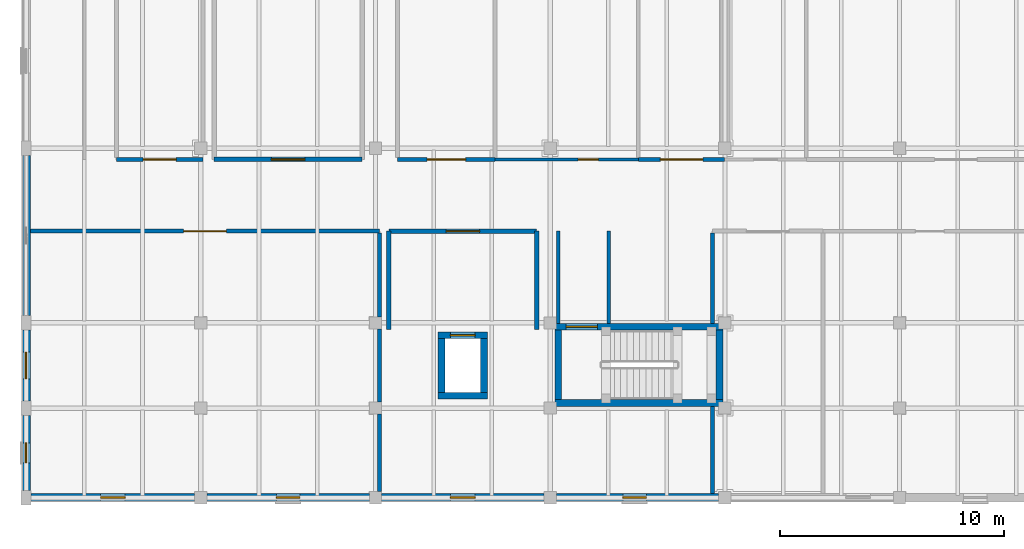
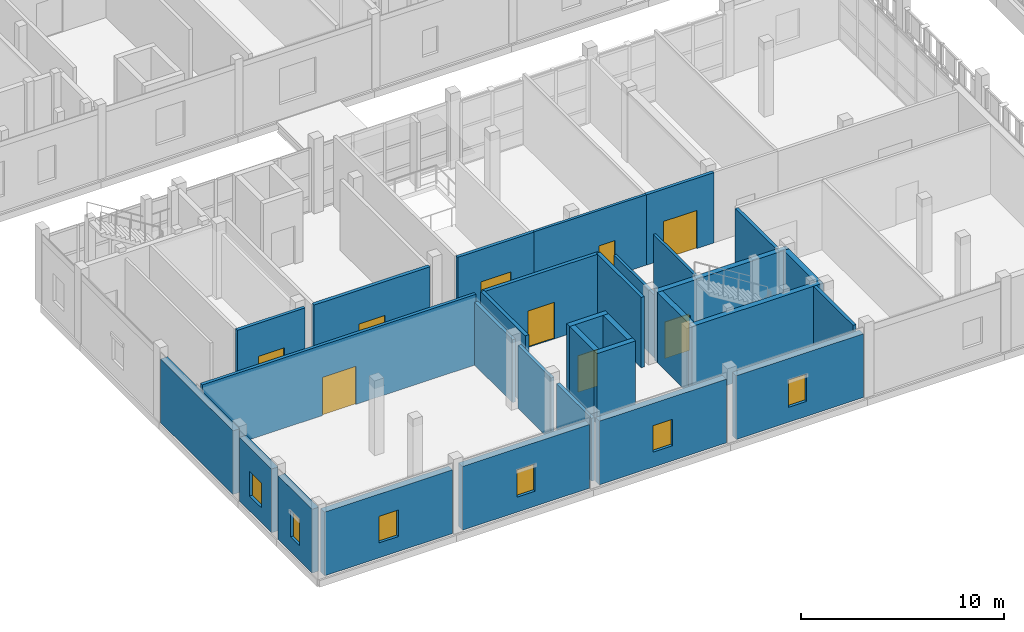
# One storey, part 91 of 119: 31 walls, 9 doors, 6 windows, 15 openings.
"""IFC4 building model written with IfcOpenShell, lengths in metres."""

from ifc_helpers import new_model, si_unit, direction, frame, frame_2d, origin, place, context, subcontext, project, spatial, rectangle, extrude, material, layer, layer_set, type_object, element, fill, save


model = new_model("IFC4")

# Units and contexts
model_context = context("Model", 3, precision=1e-05, world=origin(), true_north=direction((0.0, 1.0)))
body_context = subcontext(model_context, "Body", "Model", "MODEL_VIEW")
ifc_project = project(units=[si_unit("LENGTHUNIT", "METRE"), si_unit("AREAUNIT", "SQUARE_METRE"), si_unit("VOLUMEUNIT", "CUBIC_METRE"), si_unit("PLANEANGLEUNIT", "RADIAN"), si_unit("MASSUNIT", "GRAM", prefix="KILO")], contexts=[model_context])

# Site, building, storey
site_placement = place(None, origin())
site = spatial("IfcSite", under=ifc_project, at=site_placement, CompositionType="ELEMENT")
building_placement = place(site_placement, origin())
building = spatial("IfcBuilding", under=site, at=building_placement, Name="Celorna Specialist Clinic", CompositionType="ELEMENT")
storey_placement = place(building_placement, frame((0.0, 0.0, 9.60009765625)))
storey = spatial("IfcBuildingStorey", under=building, at=storey_placement, Name="L02", CompositionType="ELEMENT", Elevation=9.60009765625)

# Wall, opening, window
ifc_material_1 = material(Name="Terracotta masonry with insulated cavity", Category="masonry")
ifc_layer_1 = layer(ifc_material_1, 0.3798828125, Name="Terracotta masonry with insulated cavity")
ifc_layer_set_1 = layer_set([ifc_layer_1], Name="Terracotta masonry with insulated cavity")
wall_type_1 = type_object("IfcWallType", Name="WT-06", PredefinedType="STANDARD", material=ifc_layer_set_1)
wall_1_placement = place(storey_placement, frame((7.52490234375, 0.0, 0.0), z_axis=(0.0, 0.0, 1.0), x_axis=(-1.0, 0.0, 0.0)))
wall_1 = element("IfcWall", 1, at=wall_1_placement, inside=storey, type_object=wall_type_1, Name="External facade wall WT-06 #336", PredefinedType="STANDARD", context=body_context, shape_type="SweptSolid", body=[
    extrude(rectangle(XDim=7.2998046875, YDim=0.3798828125, at=frame_2d((3.64990234375, 0.0))), origin(), (0.0, 0.0, 1.0), 3.83984375),
])
opening_1_placement = place(wall_1_placement, frame((3.10009765625, 0.0, 0.89990234375)))
opening_1 = element("IfcOpeningElement", 2, at=opening_1_placement, cuts=wall_1, Name="Opening WN-03", PredefinedType="OPENING", context=body_context, shape_type="SweptSolid", body=[
    extrude(rectangle(XDim=1.10009765625, YDim=1.60009765625, at=frame_2d((0.550048828125, 0.800048828125))), frame((0.0, 0.199951171875, 0.0), z_axis=(0.0, -1.0, 0.0), x_axis=(1.0, 0.0, 0.0)), (0.0, 0.0, 1.0), 0.39990234375),
])
ifc_material_2 = material(Name="Thermally broken aluminium triple-glazed window", Category="aluminium")
window_type_1 = type_object("IfcWindowType", Name="WN-03", PartitioningType="SINGLE_PANEL", PredefinedType="WINDOW", material=ifc_material_2)
window_1_placement = place(opening_1_placement, origin())
window_1 = element("IfcWindow", 3, at=window_1_placement, inside=storey, type_object=window_type_1, Name="Facade window WN-03 #203", OverallHeight=1.60009765625, OverallWidth=1.10009765625, PartitioningType="SINGLE_PANEL", PredefinedType="WINDOW", context=body_context, shape_type="SweptSolid", body=[
    extrude(rectangle(XDim=1.10009765625, YDim=1.60009765625, at=frame_2d((0.550048828125, 0.800048828125))), frame((0.0, 0.030029296875, 0.0), z_axis=(0.0, -1.0, 0.0), x_axis=(1.0, 0.0, 0.0)), (0.0, 0.0, 1.0), 0.06005859375),
])
fill(opening_1, window_1)

wall_2_placement = place(storey_placement, frame((15.324951171875, 0.0, 0.0), z_axis=(0.0, 0.0, 1.0), x_axis=(-1.0, 0.0, 0.0)))
wall_2 = element("IfcWall", 4, at=wall_2_placement, inside=storey, type_object=wall_type_1, Name="External facade wall WT-06 #337", PredefinedType="STANDARD", context=body_context, shape_type="SweptSolid", body=[
    extrude(rectangle(XDim=7.25, YDim=0.3798828125, at=frame_2d((3.625, 0.0))), origin(), (0.0, 0.0, 1.0), 3.83984375),
])
opening_2_placement = place(wall_2_placement, frame((3.10009765625, 0.0, 0.89990234375)))
opening_2 = element("IfcOpeningElement", 5, at=opening_2_placement, cuts=wall_2, Name="Opening WN-21", PredefinedType="OPENING", context=body_context, shape_type="SweptSolid", body=[
    extrude(rectangle(XDim=1.050048828125, YDim=1.64990234375, at=frame_2d((0.52490234375, 0.824951171875))), frame((0.0, 0.199951171875, 0.0), z_axis=(0.0, -1.0, 0.0), x_axis=(1.0, 0.0, 0.0)), (0.0, 0.0, 1.0), 0.39990234375),
])
window_type_2 = type_object("IfcWindowType", Name="WN-21", PartitioningType="SINGLE_PANEL", PredefinedType="WINDOW", material=ifc_material_2)
window_2_placement = place(opening_2_placement, origin())
window_2 = element("IfcWindow", 6, at=window_2_placement, inside=storey, type_object=window_type_2, Name="Facade window WN-21 #204", OverallHeight=1.64990234375, OverallWidth=1.050048828125, PartitioningType="SINGLE_PANEL", PredefinedType="WINDOW", context=body_context, shape_type="SweptSolid", body=[
    extrude(rectangle(XDim=1.050048828125, YDim=1.64990234375, at=frame_2d((0.52490234375, 0.824951171875))), frame((0.0, 0.030029296875, 0.0), z_axis=(0.0, -1.0, 0.0), x_axis=(1.0, 0.0, 0.0)), (0.0, 0.0, 1.0), 0.06005859375),
])
fill(opening_2, window_2)

wall_3_placement = place(storey_placement, frame((23.125, 0.0, 0.0), z_axis=(0.0, 0.0, 1.0), x_axis=(-1.0, 0.0, 0.0)))
wall_3 = element("IfcWall", 7, at=wall_3_placement, inside=storey, type_object=wall_type_1, Name="External facade wall WT-06 #338", PredefinedType="STANDARD", context=body_context, shape_type="SweptSolid", body=[
    extrude(rectangle(XDim=7.25, YDim=0.3798828125, at=frame_2d((3.625, 0.0))), origin(), (0.0, 0.0, 1.0), 3.83984375),
])
opening_3_placement = place(wall_3_placement, frame((3.074951171875, 0.0, 0.89990234375)))
opening_3 = element("IfcOpeningElement", 8, at=opening_3_placement, cuts=wall_3, Name="Opening WN-03", PredefinedType="OPENING", context=body_context, shape_type="SweptSolid", body=[
    extrude(rectangle(XDim=1.10009765625, YDim=1.60009765625, at=frame_2d((0.550048828125, 0.800048828125))), frame((0.0, 0.199951171875, 0.0), z_axis=(0.0, -1.0, 0.0), x_axis=(1.0, 0.0, 0.0)), (0.0, 0.0, 1.0), 0.39990234375),
])
window_3_placement = place(opening_3_placement, origin())
window_3 = element("IfcWindow", 9, at=window_3_placement, inside=storey, type_object=window_type_1, Name="Facade window WN-03 #205", OverallHeight=1.60009765625, OverallWidth=1.10009765625, PartitioningType="SINGLE_PANEL", PredefinedType="WINDOW", context=body_context, shape_type="SweptSolid", body=[
    extrude(rectangle(XDim=1.10009765625, YDim=1.60009765625, at=frame_2d((0.550048828125, 0.800048828125))), frame((0.0, 0.030029296875, 0.0), z_axis=(0.0, -1.0, 0.0), x_axis=(1.0, 0.0, 0.0)), (0.0, 0.0, 1.0), 0.06005859375),
])
fill(opening_3, window_3)

wall_4_placement = place(storey_placement, frame((30.925048828125, 0.0, 0.0), z_axis=(0.0, 0.0, 1.0), x_axis=(-1.0, 0.0, 0.0)))
wall_4 = element("IfcWall", 10, at=wall_4_placement, inside=storey, type_object=wall_type_1, Name="External facade wall WT-06 #339", PredefinedType="STANDARD", context=body_context, shape_type="SweptSolid", body=[
    extrude(rectangle(XDim=7.25, YDim=0.3798828125, at=frame_2d((3.625, 0.0))), origin(), (0.0, 0.0, 1.0), 3.83984375),
])
opening_4_placement = place(wall_4_placement, frame((3.232421875, 0.0, 0.89990234375)))
opening_4 = element("IfcOpeningElement", 11, at=opening_4_placement, cuts=wall_4, Name="Opening WN-21", PredefinedType="OPENING", context=body_context, shape_type="SweptSolid", body=[
    extrude(rectangle(XDim=1.050048828125, YDim=1.64990234375, at=frame_2d((0.52490234375, 0.824951171875))), frame((0.0, 0.199951171875, 0.0), z_axis=(0.0, -1.0, 0.0), x_axis=(1.0, 0.0, 0.0)), (0.0, 0.0, 1.0), 0.39990234375),
])
window_4_placement = place(opening_4_placement, origin())
window_4 = element("IfcWindow", 12, at=window_4_placement, inside=storey, type_object=window_type_2, Name="Facade window WN-21 #206", OverallHeight=1.64990234375, OverallWidth=1.050048828125, PartitioningType="SINGLE_PANEL", PredefinedType="WINDOW", context=body_context, shape_type="SweptSolid", body=[
    extrude(rectangle(XDim=1.050048828125, YDim=1.64990234375, at=frame_2d((0.52490234375, 0.824951171875))), frame((0.0, 0.030029296875, 0.0), z_axis=(0.0, -1.0, 0.0), x_axis=(1.0, 0.0, 0.0)), (0.0, 0.0, 1.0), 0.06005859375),
])
fill(opening_4, window_4)

wall_5_placement = place(storey_placement, frame((0.0, 0.324951171875, 0.0), z_axis=(0.0, 0.0, 1.0), x_axis=(0.0, 1.0, 0.0)))
wall_5 = element("IfcWall", 13, at=wall_5_placement, inside=storey, type_object=wall_type_1, Name="External facade wall WT-06 #343", PredefinedType="STANDARD", context=body_context, shape_type="SweptSolid", body=[
    extrude(rectangle(XDim=3.35009765625, YDim=0.3798828125, at=frame_2d((1.675048828125, 0.0))), origin(), (0.0, 0.0, 1.0), 3.83984375),
])
opening_5_placement = place(wall_5_placement, frame((1.22509765625, 0.0, 0.89990234375)))
opening_5 = element("IfcOpeningElement", 14, at=opening_5_placement, cuts=wall_5, Name="Opening WN-01", PredefinedType="OPENING", context=body_context, shape_type="SweptSolid", body=[
    extrude(rectangle(XDim=0.89990234375, YDim=1.60009765625, at=frame_2d((0.449951171875, 0.800048828125))), frame((0.0, 0.199951171875, 0.0), z_axis=(0.0, -1.0, 0.0), x_axis=(1.0, 0.0, 0.0)), (0.0, 0.0, 1.0), 0.39990234375),
])
window_type_3 = type_object("IfcWindowType", Name="WN-01", PartitioningType="SINGLE_PANEL", PredefinedType="WINDOW", material=ifc_material_2)
window_5_placement = place(opening_5_placement, origin())
window_5 = element("IfcWindow", 15, at=window_5_placement, inside=storey, type_object=window_type_3, Name="Facade window WN-01 #210", OverallHeight=1.60009765625, OverallWidth=0.89990234375, PartitioningType="SINGLE_PANEL", PredefinedType="WINDOW", context=body_context, shape_type="SweptSolid", body=[
    extrude(rectangle(XDim=0.89990234375, YDim=1.60009765625, at=frame_2d((0.449951171875, 0.800048828125))), frame((0.0, 0.030029296875, 0.0), z_axis=(0.0, -1.0, 0.0), x_axis=(1.0, 0.0, 0.0)), (0.0, 0.0, 1.0), 0.06005859375),
])
fill(opening_5, window_5)

wall_6_placement = place(storey_placement, frame((0.0, 4.324951171875, 0.0), z_axis=(0.0, 0.0, 1.0), x_axis=(0.0, 1.0, 0.0)))
wall_6 = element("IfcWall", 16, at=wall_6_placement, inside=storey, type_object=wall_type_1, Name="External facade wall WT-06 #344", PredefinedType="STANDARD", context=body_context, shape_type="SweptSolid", body=[
    extrude(rectangle(XDim=3.150146484375, YDim=0.3798828125, at=frame_2d((1.5751953125, 0.0))), origin(), (0.0, 0.0, 1.0), 3.83984375),
])
opening_6_placement = place(wall_6_placement, frame((0.97509765625, 0.0, 0.89990234375)))
opening_6 = element("IfcOpeningElement", 17, at=opening_6_placement, cuts=wall_6, Name="Opening WN-04", PredefinedType="OPENING", context=body_context, shape_type="SweptSolid", body=[
    extrude(rectangle(XDim=1.199951171875, YDim=1.5, at=frame_2d((0.60009765625, 0.75))), frame((0.0, 0.199951171875, 0.0), z_axis=(0.0, -1.0, 0.0), x_axis=(1.0, 0.0, 0.0)), (0.0, 0.0, 1.0), 0.39990234375),
])
window_type_4 = type_object("IfcWindowType", Name="WN-04", PartitioningType="SINGLE_PANEL", PredefinedType="WINDOW", material=ifc_material_2)
window_6_placement = place(opening_6_placement, origin())
window_6 = element("IfcWindow", 18, at=window_6_placement, inside=storey, type_object=window_type_4, Name="Facade window WN-04 #211", OverallHeight=1.5, OverallWidth=1.199951171875, PartitioningType="SINGLE_PANEL", PredefinedType="WINDOW", context=body_context, shape_type="SweptSolid", body=[
    extrude(rectangle(XDim=1.199951171875, YDim=1.5, at=frame_2d((0.60009765625, 0.75))), frame((0.0, 0.030029296875, 0.0), z_axis=(0.0, -1.0, 0.0), x_axis=(1.0, 0.0, 0.0)), (0.0, 0.0, 1.0), 0.06005859375),
])
fill(opening_6, window_6)

# Walls
wall_7_placement = place(storey_placement, frame((0.0, 8.125, 0.0), z_axis=(0.0, 0.0, 1.0), x_axis=(0.0, 1.0, 0.0)))
element("IfcWall", 19, at=wall_7_placement, inside=storey, type_object=wall_type_1, Name="External facade wall WT-06 #345", PredefinedType="STANDARD", context=body_context, shape_type="SweptSolid", body=[
    extrude(rectangle(XDim=7.14990234375, YDim=0.3798828125, at=frame_2d((3.574951171875, 0.0))), origin(), (0.0, 0.0, 1.0), 3.83984375),
])
ifc_material_3 = material(Name="Concrete C35/45", Category="concrete")
ifc_layer_2 = layer(ifc_material_3, 0.300048828125, Name="Concrete C35/45")
ifc_layer_set_2 = layer_set([ifc_layer_2], Name="Concrete C35/45")
wall_type_2 = type_object("IfcWallType", Name="WT-08", PredefinedType="SHEAR", material=ifc_layer_set_2)
wall_8_placement = place(storey_placement, frame((23.610107421875, 4.22998046875, 0.0), z_axis=(0.0, 0.0, 1.0), x_axis=(1.0, 0.0, 0.0)))
element("IfcWall", 20, at=wall_8_placement, inside=storey, type_object=wall_type_2, Name="Stair ST-05 RC core wall L02 south", PredefinedType="SHEAR", context=body_context, shape_type="SweptSolid", body=[
    extrude(rectangle(XDim=7.5, YDim=0.300048828125, at=frame_2d((3.75, 0.0))), origin(), (0.0, 0.0, 1.0), 4.239990234375),
])

# Wall, opening, door
wall_9_placement = place(storey_placement, frame((31.110107421875, 7.6298828125, 0.0), z_axis=(0.0, 0.0, 1.0), x_axis=(-1.0, 0.0, 0.0)))
wall_9 = element("IfcWall", 21, at=wall_9_placement, inside=storey, type_object=wall_type_2, Name="Stair ST-05 RC core wall L02 north", PredefinedType="SHEAR", context=body_context, shape_type="SweptSolid", body=[
    extrude(rectangle(XDim=7.5, YDim=0.300048828125, at=frame_2d((3.75, 0.0))), origin(), (0.0, 0.0, 1.0), 4.239990234375),
])
opening_7_placement = place(wall_9_placement, frame((5.60009765625, 0.0, 0.0)))
opening_7 = element("IfcOpeningElement", 22, at=opening_7_placement, cuts=wall_9, Name="Opening DR-10", PredefinedType="OPENING", context=body_context, shape_type="SweptSolid", body=[
    extrude(rectangle(XDim=1.39990234375, YDim=2.199951171875, at=frame_2d((0.699951171875, 1.10009765625))), frame((0.0, 0.159912109375, 0.0), z_axis=(0.0, -1.0, 0.0), x_axis=(1.0, 0.0, 0.0)), (0.0, 0.0, 1.0), 0.320068359375),
])
ifc_material_4 = material(Name="Protected exit stair fire door")
door_type_1 = type_object("IfcDoorType", Name="DR-10", OperationType="NOTDEFINED", PredefinedType="DOOR", material=ifc_material_4)
door_1_placement = place(opening_7_placement, origin())
door_1 = element("IfcDoor", 23, at=door_1_placement, inside=storey, type_object=door_type_1, Name="Protected exit stair door ST-05 L02", OperationType="SINGLE_SWING_LEFT", OverallHeight=2.199951171875, OverallWidth=1.39990234375, PredefinedType="DOOR", context=body_context, shape_type="SweptSolid", body=[
    extrude(rectangle(XDim=1.39990234375, YDim=2.199951171875, at=frame_2d((0.699951171875, 1.10009765625))), frame((0.0, 0.02490234375, 0.0), z_axis=(0.0, -1.0, 0.0), x_axis=(1.0, 0.0, 0.0)), (0.0, 0.0, 1.0), 0.050048828125),
])
fill(opening_7, door_1)

# Walls
for number, where, z_axis, x_axis, name in (
    (24, (23.760009765625, 7.47998046875, 0.0), (0.0, 0.0, 1.0), (0.0, -1.0, 0.0), "Stair ST-05 RC core wall L02 west"),
    (25, (30.9599609375, 4.3798828125, 0.0), (0.0, 0.0, 1.0), (0.0, 1.0, 0.0), "Stair ST-05 RC core wall L02 east"),
):
    element("IfcWall", number, at=place(storey_placement, frame(where, z_axis=z_axis, x_axis=x_axis)), inside=storey, type_object=wall_type_2, Name=name, PredefinedType="SHEAR", context=body_context, shape_type="SweptSolid", body=[
        extrude(rectangle(XDim=3.10009765625, YDim=0.300048828125, at=frame_2d((1.550048828125, 0.0))), origin(), (0.0, 0.0, 1.0), 4.239990234375),
    ])
wall_10_placement = place(storey_placement, frame((18.39990234375, 4.550048828125, 0.0), z_axis=(0.0, 0.0, 1.0), x_axis=(1.0, 0.0, 0.0)))
element("IfcWall", 26, at=wall_10_placement, inside=storey, type_object=wall_type_2, Name="Lift LF-05 RC shaft wall L02", PredefinedType="SHEAR", context=body_context, shape_type="SweptSolid", body=[
    extrude(rectangle(XDim=2.2001953125, YDim=0.300048828125, at=frame_2d((1.10009765625, 0.0))), origin(), (0.0, 0.0, 1.0), 4.239990234375),
])

# Wall, opening, door
wall_11_placement = place(storey_placement, frame((20.60009765625, 7.25, 0.0), z_axis=(0.0, 0.0, 1.0), x_axis=(-1.0, 0.0, 0.0)))
wall_11 = element("IfcWall", 27, at=wall_11_placement, inside=storey, type_object=wall_type_2, Name="Lift LF-05 RC shaft wall L02", PredefinedType="SHEAR", context=body_context, shape_type="SweptSolid", body=[
    extrude(rectangle(XDim=2.2001953125, YDim=0.300048828125, at=frame_2d((1.10009765625, 0.0))), origin(), (0.0, 0.0, 1.0), 4.239990234375),
])
opening_8_placement = place(wall_11_placement, frame((0.550048828125, 0.0, 0.0)))
opening_8 = element("IfcOpeningElement", 28, at=opening_8_placement, cuts=wall_11, Name="Opening LD-01", PredefinedType="OPENING", context=body_context, shape_type="SweptSolid", body=[
    extrude(rectangle(XDim=1.10009765625, YDim=2.199951171875, at=frame_2d((0.550048828125, 1.10009765625))), frame((0.0, 0.159912109375, 0.0), z_axis=(0.0, -1.0, 0.0), x_axis=(1.0, 0.0, 0.0)), (0.0, 0.0, 1.0), 0.320068359375),
])
ifc_material_5 = material(Name="Stainless steel lift landing sliding door", Category="steel")
door_type_2 = type_object("IfcDoorType", Name="LD-01", OperationType="DOUBLE_DOOR_SLIDING", PredefinedType="DOOR", material=ifc_material_5)
door_2_placement = place(opening_8_placement, origin())
door_2 = element("IfcDoor", 29, at=door_2_placement, inside=storey, type_object=door_type_2, Name="Lift LF-05 sliding landing door L02", OperationType="DOUBLE_DOOR_SLIDING", OverallHeight=2.199951171875, OverallWidth=1.10009765625, PredefinedType="DOOR", context=body_context, shape_type="SweptSolid", body=[
    extrude(rectangle(XDim=1.10009765625, YDim=2.199951171875, at=frame_2d((0.550048828125, 1.10009765625))), frame((0.0, 0.02490234375, 0.0), z_axis=(0.0, -1.0, 0.0), x_axis=(1.0, 0.0, 0.0)), (0.0, 0.0, 1.0), 0.050048828125),
])
fill(opening_8, door_2)

# Walls
for number, where, z_axis, x_axis, name in (
    (30, (18.550048828125, 7.10009765625, 0.0), (0.0, 0.0, 1.0), (0.0, -1.0, 0.0), "Lift LF-05 RC shaft wall L02"),
    (31, (20.449951171875, 4.699951171875, 0.0), (0.0, 0.0, 1.0), (0.0, 1.0, 0.0), "Lift LF-05 RC shaft wall L02"),
):
    element("IfcWall", number, at=place(storey_placement, frame(where, z_axis=z_axis, x_axis=x_axis)), inside=storey, type_object=wall_type_2, Name=name, PredefinedType="SHEAR", context=body_context, shape_type="SweptSolid", body=[
        extrude(rectangle(XDim=2.400146484375, YDim=0.300048828125, at=frame_2d((1.2001953125, 0.0))), origin(), (0.0, 0.0, 1.0), 4.239990234375),
    ])

# Wall, opening, door
ifc_layer_3 = layer(ifc_material_3, 0.199951171875, Name="Concrete C35/45")
ifc_layer_set_3 = layer_set([ifc_layer_3], Name="Concrete C35/45")
wall_type_3 = type_object("IfcWallType", Name="WT-12", PredefinedType="SOLIDWALL", material=ifc_layer_set_3)
wall_12_placement = place(storey_placement, frame((8.39990234375, 15.10009765625, 0.0), z_axis=(0.0, 0.0, 1.0), x_axis=(1.0, 0.0, 0.0)))
wall_12 = element("IfcWall", 32, at=wall_12_placement, inside=storey, type_object=wall_type_3, Name="Firefighting lobby wall LF-04 L02", PredefinedType="SOLIDWALL", context=body_context, shape_type="SweptSolid", body=[
    extrude(rectangle(XDim=6.60009765625, YDim=0.199951171875, at=frame_2d((3.300048828125, 0.0))), origin(), (0.0, 0.0, 1.0), 4.239990234375),
])
opening_9_placement = place(wall_12_placement, frame((2.550048828125, 0.0, 0.0)))
opening_9 = element("IfcOpeningElement", 33, at=opening_9_placement, cuts=wall_12, Name="Opening DR-11", PredefinedType="OPENING", context=body_context, shape_type="SweptSolid", body=[
    extrude(rectangle(XDim=1.5, YDim=2.199951171875, at=frame_2d((0.75, 1.10009765625))), frame((0.0, 0.10986328125, 0.0), z_axis=(0.0, -1.0, 0.0), x_axis=(1.0, 0.0, 0.0)), (0.0, 0.0, 1.0), 0.219970703125),
])
ifc_material_6 = material(Name="Firefighting lobby double fire door")
door_type_3 = type_object("IfcDoorType", Name="DR-11", OperationType="DOUBLE_DOOR_SINGLE_SWING", PredefinedType="DOOR", material=ifc_material_6)
door_3_placement = place(opening_9_placement, origin())
door_3 = element("IfcDoor", 34, at=door_3_placement, inside=storey, type_object=door_type_3, Name="Firefighting lobby fire door LF-04 L02", OperationType="DOUBLE_DOOR_SINGLE_SWING", OverallHeight=2.199951171875, OverallWidth=1.5, PredefinedType="DOOR", context=body_context, shape_type="SweptSolid", body=[
    extrude(rectangle(XDim=1.5, YDim=2.199951171875, at=frame_2d((0.75, 1.10009765625))), frame((0.0, 0.02490234375, 0.0), z_axis=(0.0, -1.0, 0.0), x_axis=(1.0, 0.0, 0.0)), (0.0, 0.0, 1.0), 0.050048828125),
])
fill(opening_9, door_3)

wall_13_placement = place(storey_placement, frame((22.800048828125, 11.89990234375, 0.0), z_axis=(0.0, 0.0, 1.0), x_axis=(-1.0, 0.0, 0.0)))
wall_13 = element("IfcWall", 35, at=wall_13_placement, inside=storey, type_object=wall_type_3, Name="Lift lobby wall LF-05 L02", PredefinedType="SOLIDWALL", context=body_context, shape_type="SweptSolid", body=[
    extrude(rectangle(XDim=6.60009765625, YDim=0.199951171875, at=frame_2d((3.300048828125, 0.0))), origin(), (0.0, 0.0, 1.0), 4.239990234375),
])
opening_10_placement = place(wall_13_placement, frame((2.550048828125, 0.0, 0.0)))
opening_10 = element("IfcOpeningElement", 36, at=opening_10_placement, cuts=wall_13, Name="Opening DR-11", PredefinedType="OPENING", context=body_context, shape_type="SweptSolid", body=[
    extrude(rectangle(XDim=1.5, YDim=2.199951171875, at=frame_2d((0.75, 1.10009765625))), frame((0.0, 0.10986328125, 0.0), z_axis=(0.0, -1.0, 0.0), x_axis=(1.0, 0.0, 0.0)), (0.0, 0.0, 1.0), 0.219970703125),
])
door_4_placement = place(opening_10_placement, origin())
door_4 = element("IfcDoor", 37, at=door_4_placement, inside=storey, type_object=door_type_3, Name="Lift lobby fire door LF-05 L02", OperationType="DOUBLE_DOOR_SINGLE_SWING", OverallHeight=2.199951171875, OverallWidth=1.5, PredefinedType="DOOR", context=body_context, shape_type="SweptSolid", body=[
    extrude(rectangle(XDim=1.5, YDim=2.199951171875, at=frame_2d((0.75, 1.10009765625))), frame((0.0, 0.02490234375, 0.0), z_axis=(0.0, -1.0, 0.0), x_axis=(1.0, 0.0, 0.0)), (0.0, 0.0, 1.0), 0.050048828125),
])
fill(opening_10, door_4)

# Walls
for number, where, z_axis, x_axis, name in (
    (38, (16.199951171875, 11.89990234375, 0.0), (0.0, 0.0, 1.0), (0.0, -1.0, 0.0), "Lift lobby wall LF-05 L02"),
    (39, (22.800048828125, 7.5, 0.0), (0.0, 0.0, 1.0), (0.0, 1.0, 0.0), "Lift lobby wall LF-05 L02"),
):
    element("IfcWall", number, at=place(storey_placement, frame(where, z_axis=z_axis, x_axis=x_axis)), inside=storey, type_object=wall_type_3, Name=name, PredefinedType="SOLIDWALL", context=body_context, shape_type="SweptSolid", body=[
        extrude(rectangle(XDim=4.39990234375, YDim=0.199951171875, at=frame_2d((2.199951171875, 0.0))), origin(), (0.0, 0.0, 1.0), 4.239990234375),
    ])

# Wall, opening, door
ifc_material_7 = material(Name="Acoustic masonry clinical partition", Category="masonry")
ifc_layer_4 = layer(ifc_material_7, 0.179931640625, Name="Acoustic masonry clinical partition")
ifc_layer_set_4 = layer_set([ifc_layer_4], Name="Acoustic masonry clinical partition")
wall_type_4 = type_object("IfcWallType", Name="WT-13", PredefinedType="PARTITIONING", material=ifc_layer_set_4)
wall_14_placement = place(storey_placement, frame((15.7900390625, 11.89990234375, 0.0), z_axis=(0.0, 0.0, 1.0), x_axis=(-1.0, 0.0, 0.0)))
wall_14 = element("IfcWall", 40, at=wall_14_placement, inside=storey, type_object=wall_type_4, Name="Interior partition WT-13 L02-054", PredefinedType="PARTITIONING", context=body_context, shape_type="SweptSolid", body=[
    extrude(rectangle(XDim=15.60009765625, YDim=0.179931640625, at=frame_2d((7.800048828125, 0.0))), origin(), (0.0, 0.0, 1.0), 4.239990234375),
])
opening_11_placement = place(wall_14_placement, frame((6.85009765625, 0.0, 0.0)))
opening_11 = element("IfcOpeningElement", 41, at=opening_11_placement, cuts=wall_14, Name="Opening DR-17", PredefinedType="OPENING", context=body_context, shape_type="SweptSolid", body=[
    extrude(rectangle(XDim=1.89990234375, YDim=2.300048828125, at=frame_2d((0.949951171875, 1.14990234375))), frame((0.0, 0.099853515625, 0.0), z_axis=(0.0, -1.0, 0.0), x_axis=(1.0, 0.0, 0.0)), (0.0, 0.0, 1.0), 0.199951171875),
])
ifc_material_8 = material(Name="Automatic sliding surgical theatre door")
door_type_4 = type_object("IfcDoorType", Name="DR-17", OperationType="DOUBLE_DOOR_SLIDING", PredefinedType="DOOR", material=ifc_material_8)
door_5_placement = place(opening_11_placement, origin())
door_5 = element("IfcDoor", 42, at=door_5_placement, inside=storey, type_object=door_type_4, Name="Day Surgery Operating Theatre door L02-054", OperationType="DOUBLE_DOOR_SLIDING", OverallHeight=2.300048828125, OverallWidth=1.89990234375, PredefinedType="DOOR", context=body_context, shape_type="SweptSolid", body=[
    extrude(rectangle(XDim=1.89990234375, YDim=2.300048828125, at=frame_2d((0.949951171875, 1.14990234375))), frame((0.0, 0.02490234375, 0.0), z_axis=(0.0, -1.0, 0.0), x_axis=(1.0, 0.0, 0.0)), (0.0, 0.0, 1.0), 0.050048828125),
])
fill(opening_11, door_5)

wall_15_placement = place(storey_placement, frame((4.0400390625, 15.10009765625, 0.0), z_axis=(0.0, 0.0, 1.0), x_axis=(1.0, 0.0, 0.0)))
wall_15 = element("IfcWall", 43, at=wall_15_placement, inside=storey, type_object=wall_type_4, Name="Interior partition WT-13 L02-057", PredefinedType="PARTITIONING", context=body_context, shape_type="SweptSolid", body=[
    extrude(rectangle(XDim=3.849853515625, YDim=0.179931640625, at=frame_2d((1.9248046875, 0.0))), origin(), (0.0, 0.0, 1.0), 4.239990234375),
])
opening_12_placement = place(wall_15_placement, frame((1.18505859375, 0.0, 0.0)))
opening_12 = element("IfcOpeningElement", 44, at=opening_12_placement, cuts=wall_15, Name="Opening DR-23", PredefinedType="OPENING", context=body_context, shape_type="SweptSolid", body=[
    extrude(rectangle(XDim=1.47998046875, YDim=2.25, at=frame_2d((0.739990234375, 1.125))), frame((0.0, 0.099853515625, 0.0), z_axis=(0.0, -1.0, 0.0), x_axis=(1.0, 0.0, 0.0)), (0.0, 0.0, 1.0), 0.199951171875),
])
ifc_material_9 = material(Name="Double leaf treatment room door")
door_type_5 = type_object("IfcDoorType", Name="DR-23", OperationType="DOUBLE_DOOR_SINGLE_SWING", PredefinedType="DOOR", material=ifc_material_9)
door_6_placement = place(opening_12_placement, origin())
door_6 = element("IfcDoor", 45, at=door_6_placement, inside=storey, type_object=door_type_5, Name="Sterile Instrument Lay-Up Room door L02-057", OperationType="DOUBLE_DOOR_SINGLE_SWING", OverallHeight=2.25, OverallWidth=1.47998046875, PredefinedType="DOOR", context=body_context, shape_type="SweptSolid", body=[
    extrude(rectangle(XDim=1.47998046875, YDim=2.25, at=frame_2d((0.739990234375, 1.125))), frame((0.0, 0.02490234375, 0.0), z_axis=(0.0, -1.0, 0.0), x_axis=(1.0, 0.0, 0.0)), (0.0, 0.0, 1.0), 0.050048828125),
])
fill(opening_12, door_6)

wall_16_placement = place(storey_placement, frame((16.590087890625, 15.10009765625, 0.0), z_axis=(0.0, 0.0, 1.0), x_axis=(1.0, 0.0, 0.0)))
wall_16 = element("IfcWall", 46, at=wall_16_placement, inside=storey, type_object=wall_type_4, Name="Interior partition WT-13 L02-058", PredefinedType="PARTITIONING", context=body_context, shape_type="SweptSolid", body=[
    extrude(rectangle(XDim=4.349853515625, YDim=0.179931640625, at=frame_2d((2.1748046875, 0.0))), origin(), (0.0, 0.0, 1.0), 4.239990234375),
])
opening_13_placement = place(wall_16_placement, frame((1.31494140625, 0.0, 0.0)))
opening_13 = element("IfcOpeningElement", 47, at=opening_13_placement, cuts=wall_16, Name="Opening DR-24", PredefinedType="OPENING", context=body_context, shape_type="SweptSolid", body=[
    extrude(rectangle(XDim=1.719970703125, YDim=2.300048828125, at=frame_2d((0.85986328125, 1.14990234375))), frame((0.0, 0.099853515625, 0.0), z_axis=(0.0, -1.0, 0.0), x_axis=(1.0, 0.0, 0.0)), (0.0, 0.0, 1.0), 0.199951171875),
])
ifc_material_10 = material(Name="Double leaf clinical waiting door")
door_type_6 = type_object("IfcDoorType", Name="DR-24", OperationType="DOUBLE_DOOR_SINGLE_SWING", PredefinedType="DOOR", material=ifc_material_10)
door_7_placement = place(opening_13_placement, origin())
door_7 = element("IfcDoor", 48, at=door_7_placement, inside=storey, type_object=door_type_6, Name="Sterile Instrument Lay-Up Room door L02-058", OperationType="DOUBLE_DOOR_SINGLE_SWING", OverallHeight=2.300048828125, OverallWidth=1.719970703125, PredefinedType="DOOR", context=body_context, shape_type="SweptSolid", body=[
    extrude(rectangle(XDim=1.719970703125, YDim=2.300048828125, at=frame_2d((0.85986328125, 1.14990234375))), frame((0.0, 0.02490234375, 0.0), z_axis=(0.0, -1.0, 0.0), x_axis=(1.0, 0.0, 0.0)), (0.0, 0.0, 1.0), 0.050048828125),
])
fill(opening_13, door_7)

wall_17_placement = place(storey_placement, frame((27.340087890625, 15.10009765625, 0.0), z_axis=(0.0, 0.0, 1.0), x_axis=(1.0, 0.0, 0.0)))
wall_17 = element("IfcWall", 49, at=wall_17_placement, inside=storey, type_object=wall_type_4, Name="Interior partition WT-13 L02-060", PredefinedType="PARTITIONING", context=body_context, shape_type="SweptSolid", body=[
    extrude(rectangle(XDim=3.849853515625, YDim=0.179931640625, at=frame_2d((1.9248046875, 0.0))), origin(), (0.0, 0.0, 1.0), 4.239990234375),
])
opening_14_placement = place(wall_17_placement, frame((0.97509765625, 0.0, 0.0)))
opening_14 = element("IfcOpeningElement", 50, at=opening_14_placement, cuts=wall_17, Name="Opening DR-17", PredefinedType="OPENING", context=body_context, shape_type="SweptSolid", body=[
    extrude(rectangle(XDim=1.89990234375, YDim=2.300048828125, at=frame_2d((0.949951171875, 1.14990234375))), frame((0.0, 0.099853515625, 0.0), z_axis=(0.0, -1.0, 0.0), x_axis=(1.0, 0.0, 0.0)), (0.0, 0.0, 1.0), 0.199951171875),
])
door_8_placement = place(opening_14_placement, origin())
door_8 = element("IfcDoor", 51, at=door_8_placement, inside=storey, type_object=door_type_4, Name="Minor Procedures Operating Suite door L02-060", OperationType="DOUBLE_DOOR_SLIDING", OverallHeight=2.300048828125, OverallWidth=1.89990234375, PredefinedType="DOOR", context=body_context, shape_type="SweptSolid", body=[
    extrude(rectangle(XDim=1.89990234375, YDim=2.300048828125, at=frame_2d((0.949951171875, 1.14990234375))), frame((0.0, 0.02490234375, 0.0), z_axis=(0.0, -1.0, 0.0), x_axis=(1.0, 0.0, 0.0)), (0.0, 0.0, 1.0), 0.050048828125),
])
fill(opening_14, door_8)

# Walls
wall_18_placement = place(storey_placement, frame((15.7900390625, 0.27490234375, 0.0), z_axis=(0.0, 0.0, 1.0), x_axis=(0.0, 1.0, 0.0)))
element("IfcWall", 52, at=wall_18_placement, inside=storey, type_object=wall_type_4, Name="Room dividing partition WT-13 L02-054", PredefinedType="PARTITIONING", context=body_context, shape_type="SweptSolid", body=[
    extrude(rectangle(XDim=3.4501953125, YDim=0.179931640625, at=frame_2d((1.72509765625, 0.0))), origin(), (0.0, 0.0, 1.0), 3.789794921875),
])
wall_19_placement = place(storey_placement, frame((15.7900390625, 4.27490234375, 0.0), z_axis=(0.0, 0.0, 1.0), x_axis=(0.0, 1.0, 0.0)))
element("IfcWall", 53, at=wall_19_placement, inside=storey, type_object=wall_type_4, Name="Room dividing partition WT-13 L02-054", PredefinedType="PARTITIONING", context=body_context, shape_type="SweptSolid", body=[
    extrude(rectangle(XDim=3.25, YDim=0.179931640625, at=frame_2d((1.625, 0.0))), origin(), (0.0, 0.0, 1.0), 3.789794921875),
])
wall_20_placement = place(storey_placement, frame((15.7900390625, 8.074951171875, 0.0), z_axis=(0.0, 0.0, 1.0), x_axis=(0.0, 1.0, 0.0)))
element("IfcWall", 54, at=wall_20_placement, inside=storey, type_object=wall_type_4, Name="Room dividing partition WT-13 L02-054", PredefinedType="PARTITIONING", context=body_context, shape_type="SweptSolid", body=[
    extrude(rectangle(XDim=3.735107421875, YDim=0.179931640625, at=frame_2d((1.86767578125, 0.0))), origin(), (0.0, 0.0, 1.0), 3.789794921875),
])
wall_21_placement = place(storey_placement, frame((30.639892578125, 0.18994140625, 0.0), z_axis=(0.0, 0.0, 1.0), x_axis=(0.0, 1.0, 0.0)))
element("IfcWall", 55, at=wall_21_placement, inside=storey, type_object=wall_type_4, Name="Room dividing partition WT-13 L02-055", PredefinedType="PARTITIONING", context=body_context, shape_type="SweptSolid", body=[
    extrude(rectangle(XDim=3.89013671875, YDim=0.179931640625, at=frame_2d((1.945068359375, 0.0))), origin(), (0.0, 0.0, 1.0), 4.239990234375),
])
wall_22_placement = place(storey_placement, frame((30.639892578125, 7.780029296875, 0.0), z_axis=(0.0, 0.0, 1.0), x_axis=(0.0, 1.0, 0.0)))
element("IfcWall", 56, at=wall_22_placement, inside=storey, type_object=wall_type_4, Name="Room dividing partition WT-13 L02-055", PredefinedType="PARTITIONING", context=body_context, shape_type="SweptSolid", body=[
    extrude(rectangle(XDim=4.030029296875, YDim=0.179931640625, at=frame_2d((2.01513671875, 0.0))), origin(), (0.0, 0.0, 1.0), 4.239990234375),
])
ifc_material_11 = material(Name="Fire-rated gypsum board partition")
ifc_layer_5 = layer(ifc_material_11, 0.14990234375, Name="Fire-rated gypsum board partition")
ifc_layer_set_5 = layer_set([ifc_layer_5], Name="Fire-rated gypsum board partition")
wall_type_5 = type_object("IfcWallType", Name="WT-14", PredefinedType="PARTITIONING", material=ifc_layer_set_5)
wall_23_placement = place(storey_placement, frame((23.760009765625, 7.780029296875, 0.0), z_axis=(0.0, 0.0, 1.0), x_axis=(0.0, 1.0, 0.0)))
element("IfcWall", 57, at=wall_23_placement, inside=storey, type_object=wall_type_5, Name="Corridor spur partition WT-14", PredefinedType="PARTITIONING", context=body_context, shape_type="SweptSolid", body=[
    extrude(rectangle(XDim=4.119873046875, YDim=0.14990234375, at=frame_2d((2.06005859375, 0.0))), origin(), (0.0, 0.0, 1.0), 3.789794921875),
])
wall_24_placement = place(storey_placement, frame((26.010009765625, 7.780029296875, 0.0), z_axis=(0.0, 0.0, 1.0), x_axis=(0.0, 1.0, 0.0)))
element("IfcWall", 58, at=wall_24_placement, inside=storey, type_object=wall_type_5, Name="Corridor spur partition WT-14", PredefinedType="PARTITIONING", context=body_context, shape_type="SweptSolid", body=[
    extrude(rectangle(XDim=4.119873046875, YDim=0.14990234375, at=frame_2d((2.06005859375, 0.0))), origin(), (0.0, 0.0, 1.0), 4.239990234375),
])

# Wall, opening, door
wall_25_placement = place(storey_placement, frame((20.93994140625, 15.10009765625, 0.0), z_axis=(0.0, 0.0, 1.0), x_axis=(1.0, 0.0, 0.0)))
wall_25 = element("IfcWall", 59, at=wall_25_placement, inside=storey, type_object=wall_type_5, Name="Interior partition WT-14 L02-059", PredefinedType="PARTITIONING", context=body_context, shape_type="SweptSolid", body=[
    extrude(rectangle(XDim=6.400146484375, YDim=0.14990234375, at=frame_2d((3.2001953125, 0.0))), origin(), (0.0, 0.0, 1.0), 4.239990234375),
])
opening_15_placement = place(wall_25_placement, frame((3.7099609375, 0.0, 0.0)))
opening_15 = element("IfcOpeningElement", 60, at=opening_15_placement, cuts=wall_25, Name="Opening DR-02", PredefinedType="OPENING", context=body_context, shape_type="SweptSolid", body=[
    extrude(rectangle(XDim=0.89990234375, YDim=2.10009765625, at=frame_2d((0.449951171875, 1.050048828125))), frame((0.0, 0.0849609375, 0.0), z_axis=(0.0, -1.0, 0.0), x_axis=(1.0, 0.0, 0.0)), (0.0, 0.0, 1.0), 0.169921875),
])
ifc_material_12 = material(Name="Timber acoustic clinical door", Category="wood")
door_type_7 = type_object("IfcDoorType", Name="DR-02", OperationType="NOTDEFINED", PredefinedType="DOOR", material=ifc_material_12)
door_9_placement = place(opening_15_placement, origin())
door_9 = element("IfcDoor", 61, at=door_9_placement, inside=storey, type_object=door_type_7, Name="Surgical Scrub and Gowning Bay door L02-059", OperationType="SINGLE_SWING_RIGHT", OverallHeight=2.10009765625, OverallWidth=0.89990234375, PredefinedType="DOOR", context=body_context, shape_type="SweptSolid", body=[
    extrude(rectangle(XDim=0.89990234375, YDim=2.10009765625, at=frame_2d((0.449951171875, 1.050048828125))), frame((0.0, 0.02490234375, 0.0), z_axis=(0.0, -1.0, 0.0), x_axis=(1.0, 0.0, 0.0)), (0.0, 0.0, 1.0), 0.050048828125),
])
fill(opening_15, door_9)

save(model, "model.ifc")
